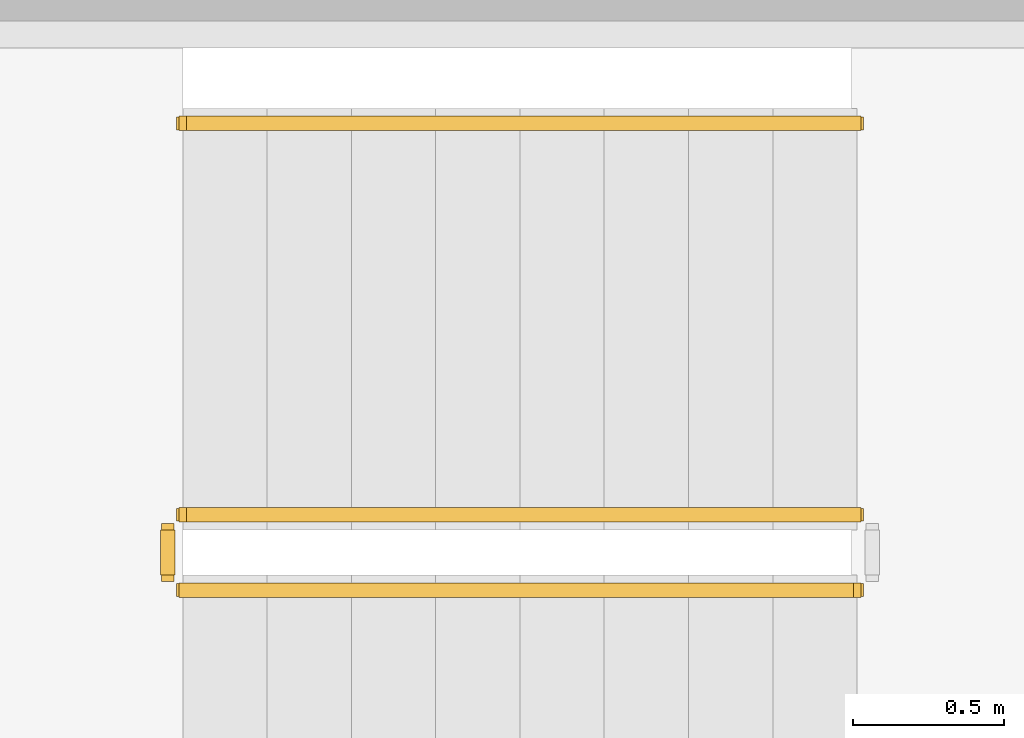
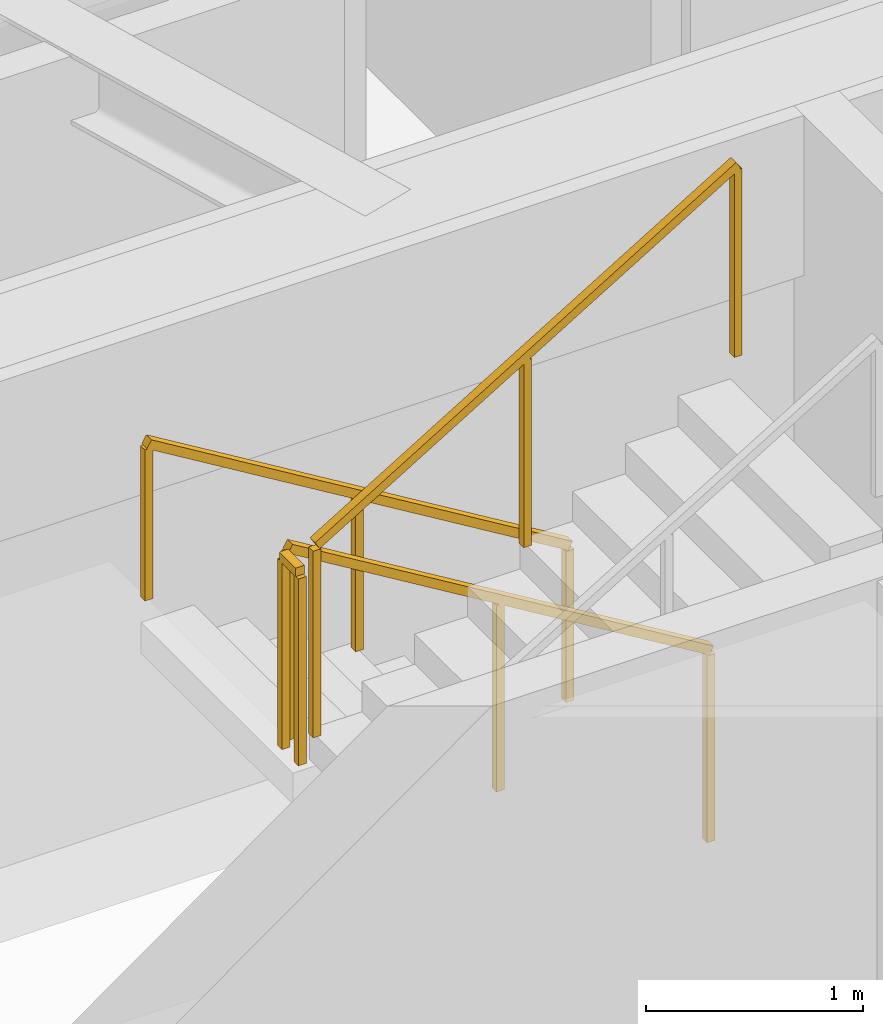
# One storey, part 24 of 28: 4 railings.
"""IFC4 building model written with IfcOpenShell, lengths in metres."""

from ifc_helpers import new_model, si_unit, direction, frame, origin, origin_2d, place, context, subcontext, project, spatial, rectangle, extrude, material, type_object, element, save


model = new_model("IFC4")

# Units and contexts
model_context = context("Model", 3, precision=1e-05, world=origin(), true_north=direction((0.0, 1.0)))
body_context = subcontext(model_context, "Body", "Model", "MODEL_VIEW")
ifc_project = project(units=[si_unit("LENGTHUNIT", "METRE"), si_unit("AREAUNIT", "SQUARE_METRE"), si_unit("VOLUMEUNIT", "CUBIC_METRE"), si_unit("PLANEANGLEUNIT", "RADIAN"), si_unit("MASSUNIT", "GRAM", prefix="KILO")], contexts=[model_context])

# Site, building, storey
site_placement = place(None, origin())
site = spatial("IfcSite", under=ifc_project, at=site_placement, CompositionType="ELEMENT")
building_placement = place(site_placement, origin())
building = spatial("IfcBuilding", under=site, at=building_placement, Name="Norrkilde Senior Care Towers", CompositionType="ELEMENT")
storey_placement = place(building_placement, frame((0.0, 0.0, 190.64990234375)))
storey = spatial("IfcBuildingStorey", under=building, at=storey_placement, Name="L59", CompositionType="ELEMENT", Elevation=190.64990234375)

# Railings
ifc_material_1 = material(Name="Stainless Steel", Category="steel")
railing_type_1 = type_object("IfcRailingType", Name="Stair and Terrace Guardrail 1100", PredefinedType="GUARDRAIL", material=ifc_material_1)
railing_1_placement = place(storey_placement, frame((26.89990234375, 4.050048828125, 0.16943359375)))
element("IfcRailing", 1, at=railing_1_placement, inside=storey, type_object=railing_type_1, Name="L59 ST-E1 stair guard 1", PredefinedType="GUARDRAIL", context=body_context, shape_type="SweptSolid", body=[
    extrude(rectangle(XDim=0.048095703125, YDim=0.048095703125, at=origin_2d()), frame((0.0, 0.0, 1.076171875), z_axis=(-0.855512035549, 0.0, 0.517782924622), x_axis=(0.0, -1.0, 0.0)), (0.0, 0.0, 1.0), 2.618408203125),
    extrude(rectangle(XDim=0.0419921875, YDim=0.0419921875, at=origin_2d()), origin(), (0.0, 0.0, 1.0), 1.050048828125),
    extrude(rectangle(XDim=0.0419921875, YDim=0.0419921875, at=origin_2d()), frame((-1.1201171875, 0.0, 0.677734375)), (0.0, 0.0, 1.0), 1.050048828125),
    extrude(rectangle(XDim=0.0419921875, YDim=0.0419921875, at=origin_2d()), frame((-2.239990234375, 0.0, 1.355712890625)), (0.0, 0.0, 1.0), 1.050048828125),
])
railing_2_placement = place(storey_placement, frame((24.610107421875, 4.0, 1.525146484375)))
element("IfcRailing", 2, at=railing_2_placement, inside=storey, type_object=railing_type_1, Name="L59 ST-E1 stair guard 2", PredefinedType="GUARDRAIL", context=body_context, shape_type="SweptSolid", body=[
    extrude(rectangle(XDim=0.048095703125, YDim=0.048095703125, at=origin_2d()), frame((0.0, 0.0, 1.076171875), z_axis=(0.0, -1.0, 0.0), x_axis=(1.0, 0.0, 0.0)), (0.0, 0.0, 1.0), 0.14990234375),
    extrude(rectangle(XDim=0.0419921875, YDim=0.0419921875, at=origin_2d()), origin(), (0.0, 0.0, 1.0), 1.050048828125),
    extrude(rectangle(XDim=0.0419921875, YDim=0.0419921875, at=origin_2d()), frame((0.0, -0.14990234375, 0.0)), (0.0, 0.0, 1.0), 1.050048828125),
])
railing_3_placement = place(storey_placement, frame((24.659912109375, 3.800048828125, 1.694580078125)))
element("IfcRailing", 3, at=railing_3_placement, inside=storey, type_object=railing_type_1, Name="L59 ST-E1 stair guard 3", PredefinedType="GUARDRAIL", context=body_context, shape_type="SweptSolid", body=[
    extrude(rectangle(XDim=0.048095703125, YDim=0.048095703125, at=origin_2d()), frame((0.0, 0.0, 1.076171875), z_axis=(0.855553338991, 0.0, 0.51771467445), x_axis=(0.0, 1.0, 0.0)), (0.0, 0.0, 1.0), 2.6181640625),
    extrude(rectangle(XDim=0.0419921875, YDim=0.0419921875, at=origin_2d()), origin(), (0.0, 0.0, 1.0), 1.050048828125),
    extrude(rectangle(XDim=0.0419921875, YDim=0.0419921875, at=origin_2d()), frame((1.1201171875, 0.0, 0.677734375)), (0.0, 0.0, 1.0), 1.050048828125),
    extrude(rectangle(XDim=0.0419921875, YDim=0.0419921875, at=origin_2d()), frame((2.239990234375, 0.0, 1.35546875)), (0.0, 0.0, 1.0), 1.050048828125),
])
ifc_material_2 = material(Name="Nordic Ash Timber", Category="wood")
railing_type_2 = type_object("IfcRailingType", Name="Wall and Stair Handrail 900", PredefinedType="HANDRAIL", material=ifc_material_2)
railing_4_placement = place(storey_placement, frame((26.89990234375, 5.35009765625, 0.16943359375)))
element("IfcRailing", 4, at=railing_4_placement, inside=storey, type_object=railing_type_2, Name="L59 ST-E1 stair handrail 1", PredefinedType="HANDRAIL", context=body_context, shape_type="SweptSolid", body=[
    extrude(rectangle(XDim=0.048095703125, YDim=0.048095703125, at=origin_2d()), frame((0.0, 0.0, 0.8759765625), z_axis=(-0.855512035549, 0.0, 0.517782924622), x_axis=(0.0, -1.0, 0.0)), (0.0, 0.0, 1.0), 2.618408203125),
    extrude(rectangle(XDim=0.0419921875, YDim=0.0419921875, at=origin_2d()), origin(), (0.0, 0.0, 1.0), 0.849853515625),
    extrude(rectangle(XDim=0.0419921875, YDim=0.0419921875, at=origin_2d()), frame((-1.1201171875, 0.0, 0.677734375)), (0.0, 0.0, 1.0), 0.849853515625),
    extrude(rectangle(XDim=0.0419921875, YDim=0.0419921875, at=origin_2d()), frame((-2.239990234375, 0.0, 1.355712890625)), (0.0, 0.0, 1.0), 0.849853515625),
])

save(model, "model.ifc")
